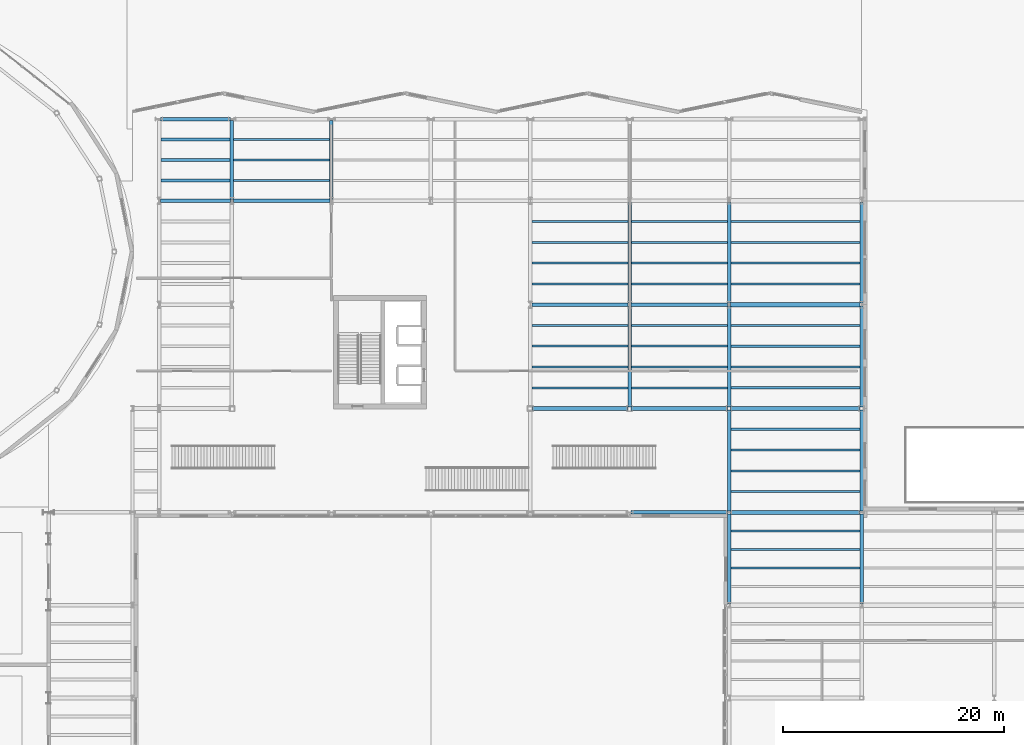
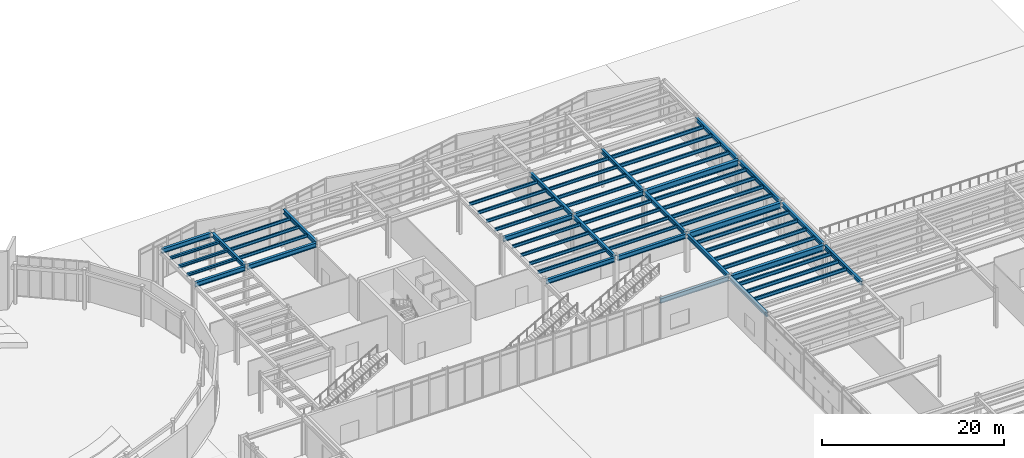
# One storey, part 53 of 94: 60 beams.
"""IFC4 building model written with IfcOpenShell, lengths in metres."""

from ifc_helpers import new_model, si_unit, direction, frame, origin, origin_2d, place, context, subcontext, project, spatial, i_section, extrude, material, material_profile, profile_set, type_object, element, save


model = new_model("IFC4")

# Units and contexts
model_context = context("Model", 3, precision=1e-05, world=origin(), true_north=direction((0.0, 1.0)))
body_context = subcontext(model_context, "Body", "Model", "MODEL_VIEW")
ifc_project = project(units=[si_unit("LENGTHUNIT", "METRE"), si_unit("AREAUNIT", "SQUARE_METRE"), si_unit("VOLUMEUNIT", "CUBIC_METRE"), si_unit("PLANEANGLEUNIT", "RADIAN"), si_unit("MASSUNIT", "GRAM", prefix="KILO")], contexts=[model_context])

# Site, building, storey
site_placement = place(None, origin())
site = spatial("IfcSite", under=ifc_project, at=site_placement, CompositionType="ELEMENT")
building_placement = place(site_placement, origin())
building = spatial("IfcBuilding", under=site, at=building_placement, Name="Sollismere Congress Hotel", CompositionType="ELEMENT")
storey_placement = place(building_placement, origin())
storey = spatial("IfcBuildingStorey", under=building, at=storey_placement, Name="L00", CompositionType="ELEMENT", Elevation=0.0)

# Beams
ifc_material = material(Name="Steel ASTM A992 Grade 50", Category="steel")
ifc_material_profile_1 = material_profile(ifc_material, i_section(OverallWidth=0.31494140625, OverallDepth=0.551025390625, WebThickness=0.01513671875, FlangeThickness=0.0244140625, at=origin_2d()), Name="W21X122")
ifc_profile_set_1 = profile_set([ifc_material_profile_1], Name="Steel ASTM A992 Grade 50")
beam_type_1 = type_object("IfcBeamType", Name="BM-G21H", PredefinedType="BEAM", material=ifc_profile_set_1)
for number, where, z_axis, x_axis, name in (
    (1, (67.0, 95.139892578125, 4.839599609375), (0.0, 1.0, 0.0), (-1.0, 0.0, 0.0), "Beam BM-L00-1260"),
    (2, (76.0, 95.139892578125, 4.839599609375), (0.0, 1.0, 0.0), (-1.0, 0.0, 0.0), "Beam BM-L00-1262"),
):
    element("IfcBeam", number, at=place(storey_placement, frame(where, z_axis=z_axis, x_axis=x_axis)), inside=storey, type_object=beam_type_1, Name=name, PredefinedType="BEAM", context=body_context, shape_type="SweptSolid", body=[
        extrude(i_section(OverallWidth=0.31494140625, OverallDepth=0.551025390625, WebThickness=0.01513671875, FlangeThickness=0.0244140625, at=origin_2d()), origin(), (0.0, 0.0, 1.0), 7.1201171875),
    ])
beam_1_placement = place(storey_placement, frame((103.0, 76.340087890625, 4.839599609375), z_axis=(0.0, 1.0, 0.0), x_axis=(-1.0, 0.0, 0.0)))
element("IfcBeam", 3, at=beam_1_placement, inside=storey, type_object=beam_type_1, Name="Beam BM-L00-1272", PredefinedType="BEAM", context=body_context, shape_type="SweptSolid", body=[
    extrude(i_section(OverallWidth=0.31494140625, OverallDepth=0.551025390625, WebThickness=0.01513671875, FlangeThickness=0.0244140625, at=origin_2d()), origin(), (0.0, 0.0, 1.0), 9.119873046875),
])
beam_2_placement = place(storey_placement, frame((103.0, 85.739990234375, 4.839599609375), z_axis=(0.0, 1.0, 0.0), x_axis=(-1.0, 0.0, 0.0)))
element("IfcBeam", 4, at=beam_2_placement, inside=storey, type_object=beam_type_1, Name="Beam BM-L00-1273", PredefinedType="BEAM", context=body_context, shape_type="SweptSolid", body=[
    extrude(i_section(OverallWidth=0.31494140625, OverallDepth=0.551025390625, WebThickness=0.01513671875, FlangeThickness=0.0244140625, at=origin_2d()), origin(), (0.0, 0.0, 1.0), 9.1201171875),
])
beam_3_placement = place(storey_placement, frame((112.0, 58.5400390625, 4.839599609375), z_axis=(0.0, 1.0, 0.0), x_axis=(-1.0, 0.0, 0.0)))
element("IfcBeam", 5, at=beam_3_placement, inside=storey, type_object=beam_type_1, Name="Beam BM-L00-1282", PredefinedType="BEAM", context=body_context, shape_type="SweptSolid", body=[
    extrude(i_section(OverallWidth=0.31494140625, OverallDepth=0.551025390625, WebThickness=0.01513671875, FlangeThickness=0.0244140625, at=origin_2d()), origin(), (0.0, 0.0, 1.0), 8.119873046875),
])
beam_4_placement = place(storey_placement, frame((112.0, 66.93994140625, 4.839599609375), z_axis=(0.0, 1.0, 0.0), x_axis=(-1.0, 0.0, 0.0)))
element("IfcBeam", 6, at=beam_4_placement, inside=storey, type_object=beam_type_1, Name="Beam BM-L00-1283", PredefinedType="BEAM", context=body_context, shape_type="SweptSolid", body=[
    extrude(i_section(OverallWidth=0.31494140625, OverallDepth=0.551025390625, WebThickness=0.01513671875, FlangeThickness=0.0244140625, at=origin_2d()), origin(), (0.0, 0.0, 1.0), 9.1201171875),
])
beam_5_placement = place(storey_placement, frame((112.0, 76.340087890625, 4.839599609375), z_axis=(0.0, 1.0, 0.0), x_axis=(-1.0, 0.0, 0.0)))
element("IfcBeam", 7, at=beam_5_placement, inside=storey, type_object=beam_type_1, Name="Beam BM-L00-1284", PredefinedType="BEAM", context=body_context, shape_type="SweptSolid", body=[
    extrude(i_section(OverallWidth=0.31494140625, OverallDepth=0.551025390625, WebThickness=0.01513671875, FlangeThickness=0.0244140625, at=origin_2d()), origin(), (0.0, 0.0, 1.0), 9.119873046875),
])
beam_6_placement = place(storey_placement, frame((112.0, 85.739990234375, 4.839599609375), z_axis=(0.0, 1.0, 0.0), x_axis=(-1.0, 0.0, 0.0)))
element("IfcBeam", 8, at=beam_6_placement, inside=storey, type_object=beam_type_1, Name="Beam BM-L00-1285", PredefinedType="BEAM", context=body_context, shape_type="SweptSolid", body=[
    extrude(i_section(OverallWidth=0.31494140625, OverallDepth=0.551025390625, WebThickness=0.01513671875, FlangeThickness=0.0244140625, at=origin_2d()), origin(), (0.0, 0.0, 1.0), 9.1201171875),
])
beam_7_placement = place(storey_placement, frame((124.0, 58.5400390625, 4.839599609375), z_axis=(0.0, 1.0, 0.0), x_axis=(-1.0, 0.0, 0.0)))
element("IfcBeam", 9, at=beam_7_placement, inside=storey, type_object=beam_type_1, Name="Beam BM-L00-1292", PredefinedType="BEAM", context=body_context, shape_type="SweptSolid", body=[
    extrude(i_section(OverallWidth=0.31494140625, OverallDepth=0.551025390625, WebThickness=0.01513671875, FlangeThickness=0.0244140625, at=origin_2d()), origin(), (0.0, 0.0, 1.0), 8.119873046875),
])
beam_8_placement = place(storey_placement, frame((124.0, 66.93994140625, 4.839599609375), z_axis=(0.0, 1.0, 0.0), x_axis=(-1.0, 0.0, 0.0)))
element("IfcBeam", 10, at=beam_8_placement, inside=storey, type_object=beam_type_1, Name="Beam BM-L00-1293", PredefinedType="BEAM", context=body_context, shape_type="SweptSolid", body=[
    extrude(i_section(OverallWidth=0.31494140625, OverallDepth=0.551025390625, WebThickness=0.01513671875, FlangeThickness=0.0244140625, at=origin_2d()), origin(), (0.0, 0.0, 1.0), 9.1201171875),
])
beam_9_placement = place(storey_placement, frame((124.0, 76.340087890625, 4.839599609375), z_axis=(0.0, 1.0, 0.0), x_axis=(-1.0, 0.0, 0.0)))
element("IfcBeam", 11, at=beam_9_placement, inside=storey, type_object=beam_type_1, Name="Beam BM-L00-1294", PredefinedType="BEAM", context=body_context, shape_type="SweptSolid", body=[
    extrude(i_section(OverallWidth=0.31494140625, OverallDepth=0.551025390625, WebThickness=0.01513671875, FlangeThickness=0.0244140625, at=origin_2d()), origin(), (0.0, 0.0, 1.0), 9.119873046875),
])
beam_10_placement = place(storey_placement, frame((124.0, 85.739990234375, 4.839599609375), z_axis=(0.0, 1.0, 0.0), x_axis=(-1.0, 0.0, 0.0)))
element("IfcBeam", 12, at=beam_10_placement, inside=storey, type_object=beam_type_1, Name="Beam BM-L00-1295", PredefinedType="BEAM", context=body_context, shape_type="SweptSolid", body=[
    extrude(i_section(OverallWidth=0.31494140625, OverallDepth=0.551025390625, WebThickness=0.01513671875, FlangeThickness=0.0244140625, at=origin_2d()), origin(), (0.0, 0.0, 1.0), 9.1201171875),
])
ifc_material_profile_2 = material_profile(ifc_material, i_section(OverallWidth=0.324951171875, OverallDepth=0.612060546875, WebThickness=0.0126953125, FlangeThickness=0.01904296875, at=origin_2d()), Name="W24X104")
ifc_profile_set_2 = profile_set([ifc_material_profile_2], Name="Steel ASTM A992 Grade 50")
beam_type_2 = type_object("IfcBeamType", Name="BM-G24", PredefinedType="BEAM", material=ifc_profile_set_2)
for number, where, z_axis, x_axis, name in (
    (13, (103.139892578125, 66.800048828125, 4.80908203125), (1.0, 0.0, 0.0), (0.0, 1.0, 0.0), "Beam BM-L00-1194"),
    (14, (94.139892578125, 76.199951171875, 4.80908203125), (1.0, 0.0, 0.0), (0.0, 1.0, 0.0), "Beam BM-L00-1202"),
    (15, (103.139892578125, 76.199951171875, 4.80908203125), (1.0, 0.0, 0.0), (0.0, 1.0, 0.0), "Beam BM-L00-1203"),
    (16, (94.139892578125, 85.60009765625, 4.80908203125), (1.0, 0.0, 0.0), (0.0, 1.0, 0.0), "Beam BM-L00-1206"),
    (17, (103.139892578125, 85.60009765625, 4.80908203125), (1.0, 0.0, 0.0), (0.0, 1.0, 0.0), "Beam BM-L00-1207"),
):
    element("IfcBeam", number, at=place(storey_placement, frame(where, z_axis=z_axis, x_axis=x_axis)), inside=storey, type_object=beam_type_2, Name=name, PredefinedType="BEAM", context=body_context, shape_type="SweptSolid", body=[
        extrude(i_section(OverallWidth=0.324951171875, OverallDepth=0.612060546875, WebThickness=0.0126953125, FlangeThickness=0.01904296875, at=origin_2d()), origin(), (0.0, 0.0, 1.0), 8.72021484375),
    ])
beam_11_placement = place(storey_placement, frame((60.5400390625, 95.0, 4.80908203125), z_axis=(1.0, 0.0, 0.0), x_axis=(0.0, 1.0, 0.0)))
element("IfcBeam", 18, at=beam_11_placement, inside=storey, type_object=beam_type_2, Name="Beam BM-L00-1209", PredefinedType="BEAM", context=body_context, shape_type="SweptSolid", body=[
    extrude(i_section(OverallWidth=0.324951171875, OverallDepth=0.612060546875, WebThickness=0.0126953125, FlangeThickness=0.01904296875, at=origin_2d()), origin(), (0.0, 0.0, 1.0), 6.320068359375),
])
beam_12_placement = place(storey_placement, frame((67.139892578125, 95.0, 4.80908203125), z_axis=(1.0, 0.0, 0.0), x_axis=(0.0, 1.0, 0.0)))
element("IfcBeam", 19, at=beam_12_placement, inside=storey, type_object=beam_type_2, Name="Beam BM-L00-1210", PredefinedType="BEAM", context=body_context, shape_type="SweptSolid", body=[
    extrude(i_section(OverallWidth=0.324951171875, OverallDepth=0.612060546875, WebThickness=0.0126953125, FlangeThickness=0.01904296875, at=origin_2d()), origin(), (0.0, 0.0, 1.0), 8.72021484375),
])
beam_13_placement = place(storey_placement, frame((60.5400390625, 102.39990234375, 4.80908203125), z_axis=(1.0, 0.0, 0.0), x_axis=(0.0, 1.0, 0.0)))
element("IfcBeam", 20, at=beam_13_placement, inside=storey, type_object=beam_type_2, Name="Beam BM-L00-1216", PredefinedType="BEAM", context=body_context, shape_type="SweptSolid", body=[
    extrude(i_section(OverallWidth=0.324951171875, OverallDepth=0.612060546875, WebThickness=0.0126953125, FlangeThickness=0.01904296875, at=origin_2d()), origin(), (0.0, 0.0, 1.0), 6.320068359375),
])
ifc_material_profile_3 = material_profile(ifc_material, i_section(OverallWidth=0.384033203125, OverallDepth=0.787109375, WebThickness=0.019775390625, FlangeThickness=0.033447265625, at=origin_2d()), Name="W30X211")
ifc_profile_set_3 = profile_set([ifc_material_profile_3], Name="Steel ASTM A992 Grade 50")
beam_type_3 = type_object("IfcBeamType", Name="BM-G30", PredefinedType="BEAM", material=ifc_profile_set_3)
for number, where, z_axis, x_axis, name in (
    (21, (112.139892578125, 66.800048828125, 4.721435546875), (1.0, 0.0, 0.0), (0.0, 1.0, 0.0), "Beam BM-L00-1195"),
    (22, (112.139892578125, 76.199951171875, 4.721435546875), (1.0, 0.0, 0.0), (0.0, 1.0, 0.0), "Beam BM-L00-1204"),
    (23, (112.139892578125, 85.60009765625, 4.721435546875), (1.0, 0.0, 0.0), (0.0, 1.0, 0.0), "Beam BM-L00-1208"),
):
    element("IfcBeam", number, at=place(storey_placement, frame(where, z_axis=z_axis, x_axis=x_axis)), inside=storey, type_object=beam_type_3, Name=name, PredefinedType="BEAM", context=body_context, shape_type="SweptSolid", body=[
        extrude(i_section(OverallWidth=0.384033203125, OverallDepth=0.787109375, WebThickness=0.019775390625, FlangeThickness=0.033447265625, at=origin_2d()), origin(), (0.0, 0.0, 1.0), 11.72021484375),
    ])
ifc_material_profile_4 = material_profile(ifc_material, i_section(OverallWidth=0.25390625, OverallDepth=0.35595703125, WebThickness=0.010498046875, FlangeThickness=0.018310546875, at=origin_2d()), Name="W14X68")
ifc_profile_set_4 = profile_set([ifc_material_profile_4], Name="Steel ASTM A992 Grade 50")
beam_type_4 = type_object("IfcBeamType", Name="BM-J14", PredefinedType="JOIST", material=ifc_profile_set_4)
for number, where, z_axis, x_axis, name in (
    (24, (60.5576171875, 96.85009765625, 4.93701171875), (1.0, 0.0, 0.0), (0.0, 1.0, 0.0), "Beam BM-L00-1373"),
    (25, (60.5576171875, 98.699951171875, 4.93701171875), (1.0, 0.0, 0.0), (0.0, 1.0, 0.0), "Beam BM-L00-1374"),
    (26, (60.5576171875, 100.550048828125, 4.93701171875), (1.0, 0.0, 0.0), (0.0, 1.0, 0.0), "Beam BM-L00-1375"),
):
    element("IfcBeam", number, at=place(storey_placement, frame(where, z_axis=z_axis, x_axis=x_axis)), inside=storey, type_object=beam_type_4, Name=name, PredefinedType="JOIST", context=body_context, shape_type="SweptSolid", body=[
        extrude(i_section(OverallWidth=0.25390625, OverallDepth=0.35595703125, WebThickness=0.010498046875, FlangeThickness=0.018310546875, at=origin_2d()), origin(), (0.0, 0.0, 1.0), 6.284912109375),
    ])
ifc_material_profile_5 = material_profile(ifc_material, i_section(OverallWidth=0.180908203125, OverallDepth=0.4169921875, WebThickness=0.010986328125, FlangeThickness=0.018310546875, at=origin_2d()), Name="W16X57")
ifc_profile_set_5 = profile_set([ifc_material_profile_5], Name="Steel ASTM A992 Grade 50")
beam_type_5 = type_object("IfcBeamType", Name="BM-J16", PredefinedType="JOIST", material=ifc_profile_set_5)
for number, where, z_axis, x_axis, name in (
    (27, (67.157470703125, 96.85009765625, 4.906494140625), (1.0, 0.0, 0.0), (0.0, 1.0, 0.0), "Beam BM-L00-1380"),
    (28, (67.157470703125, 98.699951171875, 4.906494140625), (1.0, 0.0, 0.0), (0.0, 1.0, 0.0), "Beam BM-L00-1381"),
    (29, (67.157470703125, 100.550048828125, 4.906494140625), (1.0, 0.0, 0.0), (0.0, 1.0, 0.0), "Beam BM-L00-1382"),
    (30, (94.157470703125, 78.080078125, 4.906494140625), (1.0, 0.0, 0.0), (0.0, 1.0, 0.0), "Beam BM-L00-1401"),
    (31, (94.157470703125, 79.9599609375, 4.906494140625), (1.0, 0.0, 0.0), (0.0, 1.0, 0.0), "Beam BM-L00-1402"),
    (32, (94.157470703125, 81.840087890625, 4.906494140625), (1.0, 0.0, 0.0), (0.0, 1.0, 0.0), "Beam BM-L00-1403"),
    (33, (94.157470703125, 83.719970703125, 4.906494140625), (1.0, 0.0, 0.0), (0.0, 1.0, 0.0), "Beam BM-L00-1404"),
    (34, (94.157470703125, 87.47998046875, 4.906494140625), (1.0, 0.0, 0.0), (0.0, 1.0, 0.0), "Beam BM-L00-1405"),
    (35, (94.157470703125, 89.360107421875, 4.906494140625), (1.0, 0.0, 0.0), (0.0, 1.0, 0.0), "Beam BM-L00-1406"),
    (36, (94.157470703125, 91.239990234375, 4.906494140625), (1.0, 0.0, 0.0), (0.0, 1.0, 0.0), "Beam BM-L00-1407"),
    (37, (94.157470703125, 93.1201171875, 4.906494140625), (1.0, 0.0, 0.0), (0.0, 1.0, 0.0), "Beam BM-L00-1408"),
    (38, (103.157470703125, 78.080078125, 4.906494140625), (1.0, 0.0, 0.0), (0.0, 1.0, 0.0), "Beam BM-L00-1416"),
    (39, (103.157470703125, 79.9599609375, 4.906494140625), (1.0, 0.0, 0.0), (0.0, 1.0, 0.0), "Beam BM-L00-1417"),
    (40, (103.157470703125, 81.840087890625, 4.906494140625), (1.0, 0.0, 0.0), (0.0, 1.0, 0.0), "Beam BM-L00-1418"),
    (41, (103.157470703125, 83.719970703125, 4.906494140625), (1.0, 0.0, 0.0), (0.0, 1.0, 0.0), "Beam BM-L00-1419"),
    (42, (103.157470703125, 87.47998046875, 4.906494140625), (1.0, 0.0, 0.0), (0.0, 1.0, 0.0), "Beam BM-L00-1420"),
    (43, (103.157470703125, 89.360107421875, 4.906494140625), (1.0, 0.0, 0.0), (0.0, 1.0, 0.0), "Beam BM-L00-1421"),
    (44, (103.157470703125, 91.239990234375, 4.906494140625), (1.0, 0.0, 0.0), (0.0, 1.0, 0.0), "Beam BM-L00-1422"),
    (45, (103.157470703125, 93.1201171875, 4.906494140625), (1.0, 0.0, 0.0), (0.0, 1.0, 0.0), "Beam BM-L00-1423"),
):
    element("IfcBeam", number, at=place(storey_placement, frame(where, z_axis=z_axis, x_axis=x_axis)), inside=storey, type_object=beam_type_5, Name=name, PredefinedType="JOIST", context=body_context, shape_type="SweptSolid", body=[
        extrude(i_section(OverallWidth=0.180908203125, OverallDepth=0.4169921875, WebThickness=0.010986328125, FlangeThickness=0.018310546875, at=origin_2d()), origin(), (0.0, 0.0, 1.0), 8.68505859375),
    ])
ifc_material_profile_6 = material_profile(ifc_material, i_section(OverallWidth=0.193115234375, OverallDepth=0.467041015625, WebThickness=0.011474609375, FlangeThickness=0.01904296875, at=origin_2d()), Name="W18X65")
ifc_profile_set_6 = profile_set([ifc_material_profile_6], Name="Steel ASTM A992 Grade 50")
beam_type_6 = type_object("IfcBeamType", Name="BM-J18", PredefinedType="JOIST", material=ifc_profile_set_6)
for number, where, z_axis, x_axis, name in (
    (46, (112.157470703125, 61.760009765625, 4.881591796875), (1.0, 0.0, 0.0), (0.0, 1.0, 0.0), "Beam BM-L00-1447"),
    (47, (112.157470703125, 63.43994140625, 4.881591796875), (1.0, 0.0, 0.0), (0.0, 1.0, 0.0), "Beam BM-L00-1448"),
    (48, (112.157470703125, 65.1201171875, 4.881591796875), (1.0, 0.0, 0.0), (0.0, 1.0, 0.0), "Beam BM-L00-1449"),
    (49, (112.157470703125, 68.679931640625, 4.881591796875), (1.0, 0.0, 0.0), (0.0, 1.0, 0.0), "Beam BM-L00-1450"),
    (50, (112.157470703125, 70.56005859375, 4.881591796875), (1.0, 0.0, 0.0), (0.0, 1.0, 0.0), "Beam BM-L00-1451"),
    (51, (112.157470703125, 72.43994140625, 4.881591796875), (1.0, 0.0, 0.0), (0.0, 1.0, 0.0), "Beam BM-L00-1452"),
    (52, (112.157470703125, 74.320068359375, 4.881591796875), (1.0, 0.0, 0.0), (0.0, 1.0, 0.0), "Beam BM-L00-1453"),
    (53, (112.157470703125, 78.080078125, 4.881591796875), (1.0, 0.0, 0.0), (0.0, 1.0, 0.0), "Beam BM-L00-1454"),
    (54, (112.157470703125, 79.9599609375, 4.881591796875), (1.0, 0.0, 0.0), (0.0, 1.0, 0.0), "Beam BM-L00-1455"),
    (55, (112.157470703125, 81.840087890625, 4.881591796875), (1.0, 0.0, 0.0), (0.0, 1.0, 0.0), "Beam BM-L00-1456"),
    (56, (112.157470703125, 83.719970703125, 4.881591796875), (1.0, 0.0, 0.0), (0.0, 1.0, 0.0), "Beam BM-L00-1457"),
    (57, (112.157470703125, 87.47998046875, 4.881591796875), (1.0, 0.0, 0.0), (0.0, 1.0, 0.0), "Beam BM-L00-1458"),
    (58, (112.157470703125, 89.360107421875, 4.881591796875), (1.0, 0.0, 0.0), (0.0, 1.0, 0.0), "Beam BM-L00-1459"),
    (59, (112.157470703125, 91.239990234375, 4.881591796875), (1.0, 0.0, 0.0), (0.0, 1.0, 0.0), "Beam BM-L00-1460"),
    (60, (112.157470703125, 93.1201171875, 4.881591796875), (1.0, 0.0, 0.0), (0.0, 1.0, 0.0), "Beam BM-L00-1461"),
):
    element("IfcBeam", number, at=place(storey_placement, frame(where, z_axis=z_axis, x_axis=x_axis)), inside=storey, type_object=beam_type_6, Name=name, PredefinedType="JOIST", context=body_context, shape_type="SweptSolid", body=[
        extrude(i_section(OverallWidth=0.193115234375, OverallDepth=0.467041015625, WebThickness=0.011474609375, FlangeThickness=0.01904296875, at=origin_2d()), origin(), (0.0, 0.0, 1.0), 11.68505859375),
    ])

save(model, "model.ifc")
